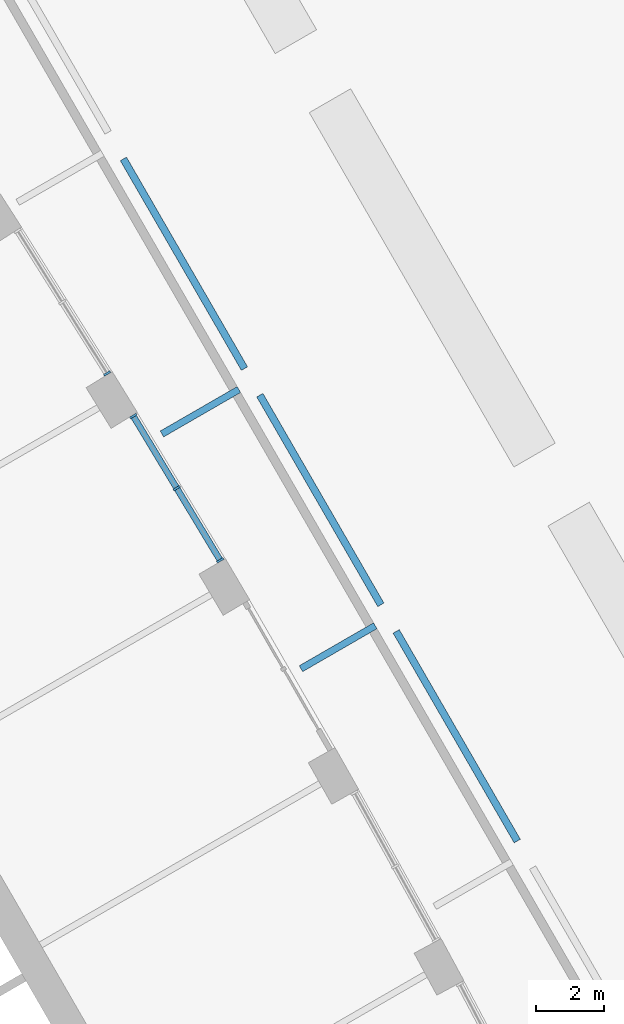
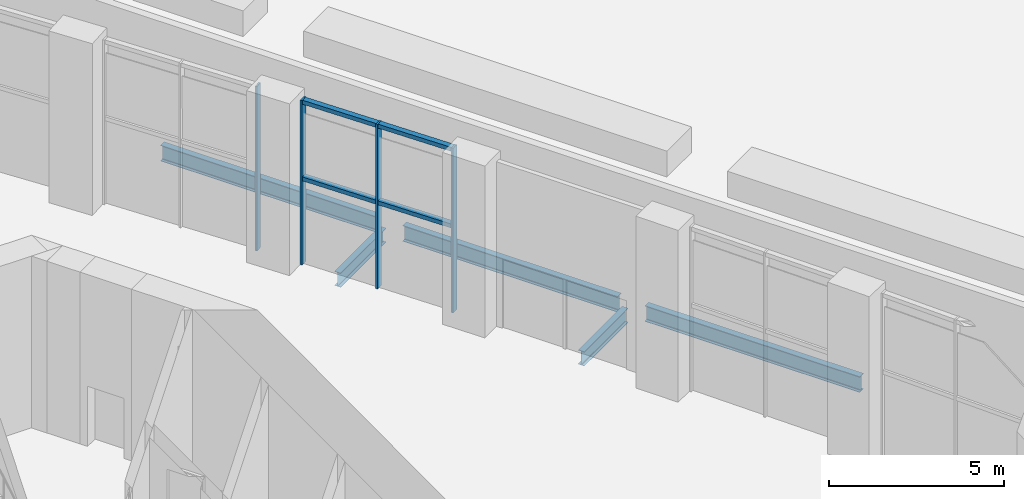
# One storey, part 13 of 41: 8 members, 5 beams, 1 element without a shape of its own.
"""IFC4 building model written with IfcOpenShell, lengths in metres."""

from ifc_helpers import new_model, si_unit, direction, frame, origin, origin_2d, place, context, subcontext, project, spatial, rectangle, i_section, extrude, material, material_profile, profile_set, type_object, element, aggregate, save


model = new_model("IFC4")

# Units and contexts
model_context = context("Model", 3, precision=1e-05, world=origin(), true_north=direction((0.0, 1.0)))
body_context = subcontext(model_context, "Body", "Model", "MODEL_VIEW")
ifc_project = project(units=[si_unit("LENGTHUNIT", "METRE"), si_unit("AREAUNIT", "SQUARE_METRE"), si_unit("VOLUMEUNIT", "CUBIC_METRE"), si_unit("PLANEANGLEUNIT", "RADIAN"), si_unit("MASSUNIT", "GRAM", prefix="KILO")], contexts=[model_context])

# Site, building, storey
site_placement = place(None, origin())
site = spatial("IfcSite", under=ifc_project, at=site_placement, CompositionType="ELEMENT")
building_placement = place(site_placement, origin())
building = spatial("IfcBuilding", under=site, at=building_placement, Name="Mestral Congress Tower", CompositionType="ELEMENT")
storey_placement = place(building_placement, frame((0.0, 0.0, 21.60009765625)))
storey = spatial("IfcBuildingStorey", under=building, at=storey_placement, Name="L04", CompositionType="ELEMENT", Elevation=21.60009765625)

# Curtain wall, members
ifc_material_1 = material(Name="Clear low-emissivity double glazing", Category="glass")
curtain_wall_type = type_object("IfcCurtainWallType", Name="Facade arrival lobby curtain wall", PredefinedType="USERDEFINED", material=ifc_material_1)
curtain_wall_placement = place(storey_placement, origin())
curtain_wall = element("IfcCurtainWall", 1, at=curtain_wall_placement, inside=storey, type_object=curtain_wall_type, Name="Facade arrival lobby curtain wall face 2", ObjectType="CURTAIN WALL", PredefinedType="USERDEFINED")
ifc_material_2 = material(Name="Anodised aluminium", Category="aluminium")
ifc_material_profile_1 = material_profile(ifc_material_2, rectangle(XDim=0.219970703125, YDim=0.06005859375, at=origin_2d()), Name="CW4 mullion 220 x 60")
ifc_profile_set_1 = profile_set([ifc_material_profile_1], Name="Anodised aluminium")
member_type_1 = type_object("IfcMemberType", Name="Facade arrival lobby curtain wall mullion", PredefinedType="MULLION", material=ifc_profile_set_1)
member_1_placement = place(storey_placement, frame((18.123291015625, 15.0087890625, 0.0), z_axis=(0.0, 0.0, 1.0), x_axis=(0.856631086083, 0.515929435442, 0.0)))
member_1 = element("IfcMember", 2, at=member_1_placement, type_object=member_type_1, Name="Facade arrival lobby curtain wall mullion", PredefinedType="MULLION", context=body_context, shape_type="SweptSolid", body=[
    extrude(rectangle(XDim=0.219970703125, YDim=0.06005859375, at=origin_2d()), origin(), (0.0, 0.0, 1.0), 5.75),
])
member_2_placement = place(storey_placement, frame((16.849609375, 17.123779296875, 0.0), z_axis=(0.0, 0.0, 1.0), x_axis=(0.856631086083, 0.515929435442, 0.0)))
member_2 = element("IfcMember", 3, at=member_2_placement, type_object=member_type_1, Name="Facade arrival lobby curtain wall mullion", PredefinedType="MULLION", context=body_context, shape_type="SweptSolid", body=[
    extrude(rectangle(XDim=0.219970703125, YDim=0.06005859375, at=origin_2d()), origin(), (0.0, 0.0, 1.0), 5.75),
])
member_3_placement = place(storey_placement, frame((15.57568359375, 19.239013671875, 0.0), z_axis=(0.0, 0.0, 1.0), x_axis=(0.856631086083, 0.515929435442, 0.0)))
member_3 = element("IfcMember", 4, at=member_3_placement, type_object=member_type_1, Name="Facade arrival lobby curtain wall mullion", PredefinedType="MULLION", context=body_context, shape_type="SweptSolid", body=[
    extrude(rectangle(XDim=0.219970703125, YDim=0.06005859375, at=origin_2d()), origin(), (0.0, 0.0, 1.0), 5.75),
])
member_4_placement = place(storey_placement, frame((14.80712890625, 20.48876953125, 0.0), z_axis=(0.0, 0.0, 1.0), x_axis=(0.846953079929, 0.531667640918, 0.0)))
member_4 = element("IfcMember", 5, at=member_4_placement, type_object=member_type_1, Name="Facade arrival lobby curtain wall mullion", PredefinedType="MULLION", context=body_context, shape_type="SweptSolid", body=[
    extrude(rectangle(XDim=0.219970703125, YDim=0.06005859375, at=origin_2d()), origin(), (0.0, 0.0, 1.0), 5.75),
])
ifc_material_profile_2 = material_profile(ifc_material_2, rectangle(XDim=0.179931640625, YDim=0.139892578125, at=origin_2d()), Name="CW4 transom 180 x 140")
ifc_profile_set_2 = profile_set([ifc_material_profile_2], Name="Anodised aluminium")
member_type_2 = type_object("IfcMemberType", Name="Facade arrival lobby curtain wall transom", PredefinedType="USERDEFINED", material=ifc_profile_set_2)
member_5_placement = place(storey_placement, frame((18.10791015625, 15.034423828125, 3.0), z_axis=(-0.51592573218, 0.856633316463, 0.0), x_axis=(-0.856633316463, -0.51592573218, 0.0)))
member_5 = element("IfcMember", 6, at=member_5_placement, type_object=member_type_2, Name="Facade arrival lobby curtain wall transom", ObjectType="TRANSOM", PredefinedType="USERDEFINED", context=body_context, shape_type="SweptSolid", body=[
    extrude(rectangle(XDim=0.179931640625, YDim=0.139892578125, at=origin_2d()), origin(), (0.0, 0.0, 1.0), 2.4091796875),
])
member_6_placement = place(storey_placement, frame((18.10791015625, 15.034423828125, 5.679931640625), z_axis=(-0.51592573218, 0.856633316463, 0.0), x_axis=(-0.856633316463, -0.51592573218, 0.0)))
member_6 = element("IfcMember", 7, at=member_6_placement, type_object=member_type_2, Name="Facade arrival lobby curtain wall transom", ObjectType="TRANSOM", PredefinedType="USERDEFINED", context=body_context, shape_type="SweptSolid", body=[
    extrude(rectangle(XDim=0.179931640625, YDim=0.139892578125, at=origin_2d()), origin(), (0.0, 0.0, 1.0), 2.4091796875),
])
member_7_placement = place(storey_placement, frame((16.833984375, 17.149658203125, 3.0), z_axis=(-0.51592573218, 0.856633316463, 0.0), x_axis=(-0.856633316463, -0.51592573218, 0.0)))
member_7 = element("IfcMember", 8, at=member_7_placement, type_object=member_type_2, Name="Facade arrival lobby curtain wall transom", ObjectType="TRANSOM", PredefinedType="USERDEFINED", context=body_context, shape_type="SweptSolid", body=[
    extrude(rectangle(XDim=0.179931640625, YDim=0.139892578125, at=origin_2d()), origin(), (0.0, 0.0, 1.0), 2.4091796875),
])
member_8_placement = place(storey_placement, frame((16.833984375, 17.149658203125, 5.679931640625), z_axis=(-0.51592573218, 0.856633316463, 0.0), x_axis=(-0.856633316463, -0.51592573218, 0.0)))
member_8 = element("IfcMember", 9, at=member_8_placement, type_object=member_type_2, Name="Facade arrival lobby curtain wall transom", ObjectType="TRANSOM", PredefinedType="USERDEFINED", context=body_context, shape_type="SweptSolid", body=[
    extrude(rectangle(XDim=0.179931640625, YDim=0.139892578125, at=origin_2d()), origin(), (0.0, 0.0, 1.0), 2.4091796875),
])
aggregate(curtain_wall, [member_1, member_2, member_3, member_5, member_6, member_7, member_8, member_4])

# Beams
ifc_material_3 = material(Name="Steel S355", Category="steel")
ifc_material_profile_3 = material_profile(ifc_material_3, i_section(OverallWidth=0.199951171875, OverallDepth=0.5, WebThickness=0.01025390625, FlangeThickness=0.01611328125, FilletRadius=0.02099609375, at=origin_2d()), Name="IPE 500")
ifc_profile_set_3 = profile_set([ifc_material_profile_3], Name="Steel S355")
beam_type_1 = type_object("IfcBeamType", Name="Floor beam IPE 500 S355", PredefinedType="BEAM", material=ifc_profile_set_3)
beam_1_placement = place(storey_placement, frame((22.6708984375, 13.089111328125, -0.550048828125), z_axis=(-0.866006140796, -0.500033362991, 0.0), x_axis=(0.500033362991, -0.866006140796, 0.0)))
element("IfcBeam", 10, at=beam_1_placement, inside=storey, type_object=beam_type_1, Name="BM-L04-E-K06", PredefinedType="BEAM", context=body_context, shape_type="SweptSolid", body=[
    extrude(i_section(OverallWidth=0.199951171875, OverallDepth=0.5, WebThickness=0.01025390625, FlangeThickness=0.01611328125, FilletRadius=0.02099609375, at=origin_2d()), origin(), (0.0, 0.0, 1.0), 2.514892578125),
])
beam_2_placement = place(storey_placement, frame((18.6708984375, 20.01708984375, -0.550048828125), z_axis=(-0.86605909571, -0.499941639332, 0.0), x_axis=(0.499941639332, -0.86605909571, 0.0)))
element("IfcBeam", 11, at=beam_2_placement, inside=storey, type_object=beam_type_1, Name="BM-L04-E-K07", PredefinedType="BEAM", context=body_context, shape_type="SweptSolid", body=[
    extrude(i_section(OverallWidth=0.199951171875, OverallDepth=0.5, WebThickness=0.01025390625, FlangeThickness=0.01611328125, FilletRadius=0.02099609375, at=origin_2d()), origin(), (0.0, 0.0, 1.0), 2.603271484375),
])
ifc_material_profile_4 = material_profile(ifc_material_3, i_section(OverallWidth=0.2099609375, OverallDepth=0.550048828125, WebThickness=0.010986328125, FlangeThickness=0.01708984375, FilletRadius=0.02392578125, at=origin_2d()), Name="IPE 550")
ifc_profile_set_4 = profile_set([ifc_material_profile_4], Name="Steel S355")
beam_type_2 = type_object("IfcBeamType", Name="Floor beam IPE 550 S355", PredefinedType="BEAM", material=ifc_profile_set_4)
for number, where, z_axis, x_axis, name in (
    (12, (26.83544921875, 6.775390625, -0.5751953125), (-0.499996289485, 0.866027546041, 0.0), (-0.866027546041, -0.499996289485, 0.0), "BM-L04-E-U05A"),
    (13, (22.83544921875, 13.70361328125, -0.5751953125), (-0.499996289485, 0.866027546041, 0.0), (-0.866027546041, -0.499996289485, 0.0), "BM-L04-E-U06A"),
    (14, (18.83544921875, 20.6318359375, -0.5751953125), (-0.499996289485, 0.866027546041, 0.0), (-0.866027546041, -0.499996289485, 0.0), "BM-L04-E-U07A"),
):
    element("IfcBeam", number, at=place(storey_placement, frame(where, z_axis=z_axis, x_axis=x_axis)), inside=storey, type_object=beam_type_2, Name=name, PredefinedType="BEAM", context=body_context, shape_type="SweptSolid", body=[
        extrude(i_section(OverallWidth=0.2099609375, OverallDepth=0.550048828125, WebThickness=0.010986328125, FlangeThickness=0.01708984375, FilletRadius=0.02392578125, at=origin_2d()), origin(), (0.0, 0.0, 1.0), 7.10009765625),
    ])

save(model, "model.ifc")
